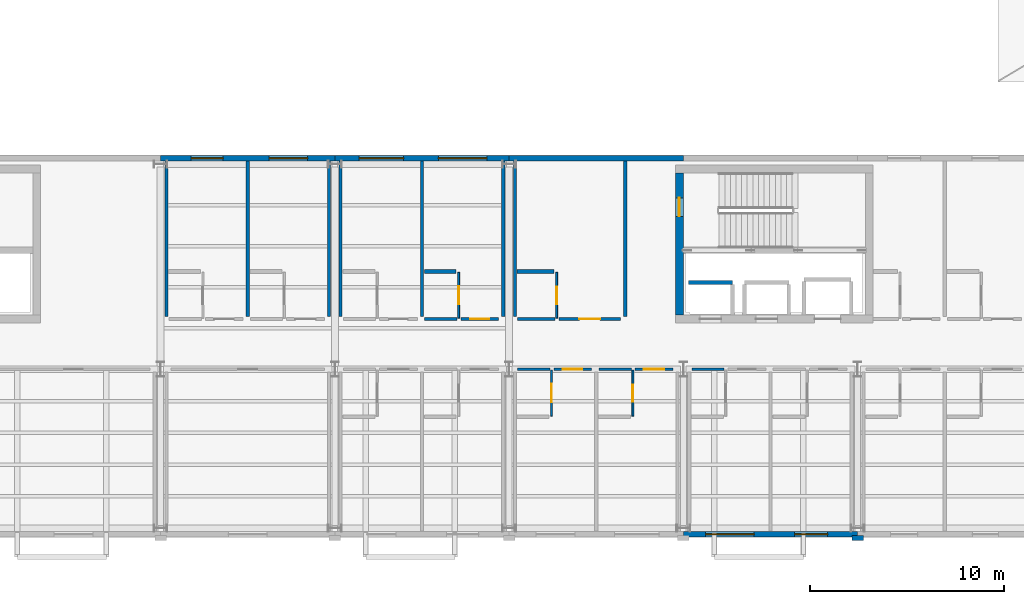
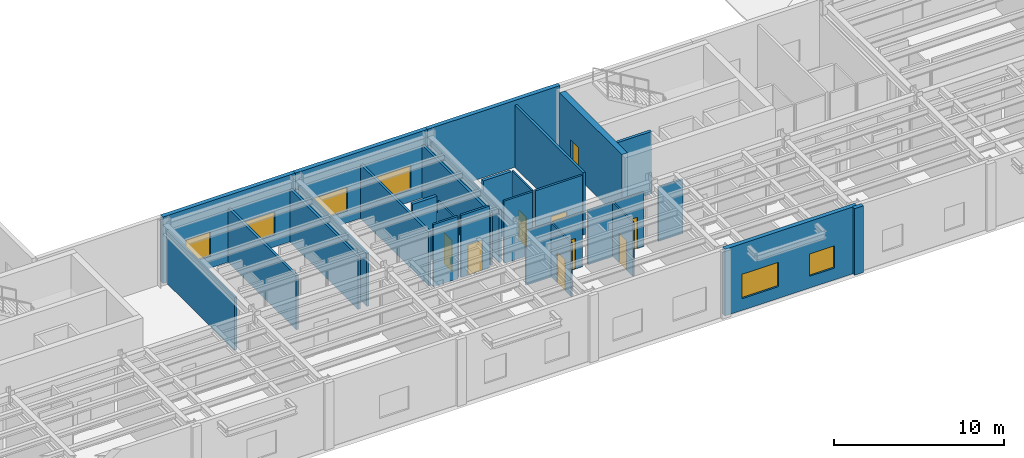
# One storey, part 70 of 91: 30 walls, 9 doors, 6 windows, 15 openings.
"""IFC4 building model written with IfcOpenShell, lengths in metres."""

import ifcopenshell
import ifcopenshell.guid

model = None  # the IFC model being written
_history = None  # IfcOwnerHistory: only IFC2X3 demands one
_inside = {}  # id of a spatial element -> (the spatial element, [elements in it])
_under = {}  # id of a project, library or spatial element -> (it, [spatial elements below it])
_declared = {}  # id of a project -> (the project, [libraries it declares])
_typed = {}  # id of a type object -> (the type object, [elements of that type])
_made_of = {}  # id of a material, layer set ... -> (it, [elements and type objects made of it])


def new_model(schema):
    """Start an empty IFC model of exactly this schema.

    Asked for "IFC4X3", IfcOpenShell would pick the latest addendum, in which some entities
    have other attributes; the version numbers below select the first issue.
    IFC2X3 requires an IfcOwnerHistory on every rooted entity: one is made here for all.
    """
    global model, _history
    if schema == "IFC4X3":
        model = ifcopenshell.file(schema_version=(4, 3, 0, 0))
    else:
        model = ifcopenshell.file(schema=schema)
    _inside.clear()
    _under.clear()
    _declared.clear()
    _typed.clear()
    _made_of.clear()
    _history = None
    if model.schema == "IFC2X3":
        org = make("IfcOrganization", Name="unknown")
        user = make(
            "IfcPersonAndOrganization",
            ThePerson=make("IfcPerson", FamilyName="unknown"),
            TheOrganization=org,
        )
        app = make(
            "IfcApplication",
            ApplicationDeveloper=org,
            Version="unknown",
            ApplicationFullName="unknown",
            ApplicationIdentifier="unknown",
        )
        _history = make(
            "IfcOwnerHistory",
            OwningUser=user,
            OwningApplication=app,
            ChangeAction="ADDED",
            CreationDate=0,
        )
    return model


def make(cls, **values):
    """One entity of the class cls with the attributes given. An attribute that is None is left unset."""
    return model.create_entity(
        cls, **{name: value for name, value in values.items() if value is not None}
    )


def rooted(cls, **values):
    """An entity with a GlobalId (a new one), such as an element, a storey or a relation."""
    return make(cls, GlobalId=ifcopenshell.guid.new(), OwnerHistory=_history, **values)


def si_unit(unit_type, name, prefix=None):
    """IfcSIUnit, for example si_unit("LENGTHUNIT", "METRE", prefix="MILLI")."""
    return make("IfcSIUnit", UnitType=unit_type, Prefix=prefix, Name=name)


def assignment(units):
    """IfcUnitAssignment: the units of a project."""
    return None if units is None else make("IfcUnitAssignment", Units=units)


def point(xyz):
    """IfcCartesianPoint."""
    return None if xyz is None else make("IfcCartesianPoint", Coordinates=xyz)


def direction(xyz):
    """IfcDirection."""
    return None if xyz is None else make("IfcDirection", DirectionRatios=xyz)


def frame(location, z_axis=None, x_axis=None):
    """IfcAxis2Placement3D, a coordinate frame: its origin and axes. An axis left out is left unset."""
    return make(
        "IfcAxis2Placement3D",
        Location=point(location),
        Axis=direction(z_axis),
        RefDirection=direction(x_axis),
    )


def frame_2d(location, x_axis=None):
    """IfcAxis2Placement2D, a coordinate frame in the plane: its origin and x axis."""
    return make(
        "IfcAxis2Placement2D", Location=point(location), RefDirection=direction(x_axis)
    )


def origin():
    """The frame at (0, 0, 0) with its axes left unset."""
    return frame((0.0, 0.0, 0.0))


def place(relative_to, where):
    """IfcLocalPlacement: puts the frame where relative to a parent placement (None: the world)."""
    return make(
        "IfcLocalPlacement", PlacementRelTo=relative_to, RelativePlacement=where
    )


def context(
    kind, dimensions, precision=None, world=None, true_north=None, identifier=None
):
    """IfcGeometricRepresentationContext, for example the 3D "Model" context."""
    return make(
        "IfcGeometricRepresentationContext",
        ContextIdentifier=identifier,
        ContextType=kind,
        CoordinateSpaceDimension=dimensions,
        Precision=precision,
        WorldCoordinateSystem=world,
        TrueNorth=true_north,
    )


def subcontext(parent, identifier, kind, view, scale=None):
    """IfcGeometricRepresentationSubContext, for example "Body" below "Model"."""
    return make(
        "IfcGeometricRepresentationSubContext",
        ContextIdentifier=identifier,
        ContextType=kind,
        ParentContext=parent,
        TargetScale=scale,
        TargetView=view,
    )


def project(units=None, contexts=None):
    """IfcProject with its units and contexts."""
    return rooted(
        "IfcProject",
        Name="project",
        RepresentationContexts=contexts,
        UnitsInContext=assignment(units),
    )


def spatial(cls, under=None, at=None, **own):
    """A site, building, storey or space (cls), placed at a placement, below another one or the project."""
    s = rooted(cls, ObjectPlacement=at, **own)
    if under is not None:
        _under.setdefault(under.id(), (under, []))[1].append(s)
    return s


def profile(cls, at=None, kind="AREA", **sizes):
    """A parametric profile (cls). Its sizes go by their IFC names, for example OverallWidth=200.0."""
    return make(cls, ProfileType=kind, Position=at, **sizes)


def rectangle(**sizes):
    """IfcRectangleProfileDef."""
    return profile("IfcRectangleProfileDef", **sizes)


def extrude(swept, where, along, depth):
    """IfcExtrudedAreaSolid: the profile swept, set in the frame where, extruded along a direction by depth."""
    return make(
        "IfcExtrudedAreaSolid",
        SweptArea=swept,
        Position=where,
        ExtrudedDirection=direction(along),
        Depth=depth,
    )


def shape(context_of_items, identifier, shape_type, items):
    """IfcShapeRepresentation: the items that make up one representation, for example the "Body"."""
    return make(
        "IfcShapeRepresentation",
        ContextOfItems=context_of_items,
        RepresentationIdentifier=identifier,
        RepresentationType=shape_type,
        Items=items,
    )


def material(Name=None, Category=None):
    """IfcMaterial."""
    return make("IfcMaterial", Name=Name, Category=Category)


def layer(
    of_material, thickness, ventilated=None, Name=None, Category=None, Priority=None
):
    """IfcMaterialLayer: one layer of a wall or slab, of a material (None: an air gap)."""
    return make(
        "IfcMaterialLayer",
        Material=of_material,
        LayerThickness=thickness,
        IsVentilated=ventilated,
        Name=Name,
        Category=Category,
        Priority=Priority,
    )


def layer_set(layers, Name=None):
    """IfcMaterialLayerSet."""
    return make("IfcMaterialLayerSet", MaterialLayers=layers, LayerSetName=Name)


def made_of(thing, what):
    """Note that an element or type object is made of a material, layer set ...; save() writes the relation."""
    if what is not None:
        _made_of.setdefault(what.id(), (what, []))[1].append(thing)
    return thing


def type_object(cls, material=None, **own):
    """A type object (cls), such as IfcWallType, which elements share."""
    return made_of(rooted(cls, **own), material)


def element(
    cls,
    number,
    at=None,
    inside=None,
    cuts=None,
    type_object=None,
    material=None,
    context=None,
    identifier="Body",
    shape_type=None,
    held_by="IfcProductDefinitionShape",
    body=None,
    shapes=None,
    **own,
):
    """One element of the class cls, such as IfcWall. Its Tag is "e" and its number.

    at: its placement. inside: the storey or other place that contains it. cuts: it is an
    opening in that element (IfcRelVoidsElement). A single representation is given by context,
    identifier, shape_type and body (its items); several are given by shapes. held_by: the class
    of the entity that holds the representations. save() writes the other relations.
    """
    e = rooted(cls, Tag="e%d" % number, ObjectPlacement=at, **own)
    if body is not None:
        shapes = [shape(context, identifier, shape_type, body)]
    if shapes is not None:
        e.Representation = make(held_by, Representations=shapes)
    if inside is not None:
        _inside.setdefault(inside.id(), (inside, []))[1].append(e)
    if cuts is not None:
        rooted(
            "IfcRelVoidsElement", RelatingBuildingElement=cuts, RelatedOpeningElement=e
        )
    if type_object is not None:
        _typed.setdefault(type_object.id(), (type_object, []))[1].append(e)
    return made_of(e, material)


def fill(opening, filler):
    """IfcRelFillsElement: the door or window that sits in an opening."""
    return rooted(
        "IfcRelFillsElement",
        RelatingOpeningElement=opening,
        RelatedBuildingElement=filler,
    )


def aggregate(whole, parts):
    """IfcRelAggregates: a whole, such as a stair, and the parts it consists of."""
    return rooted("IfcRelAggregates", RelatingObject=whole, RelatedObjects=parts)


def save(model, path):
    """Write the relations noted so far, then the file.

    IfcRelAggregates (storeys below a building ...), IfcRelContainedInSpatialStructure (elements
    in a storey), IfcRelDefinesByType, IfcRelAssociatesMaterial and IfcRelDeclares: one each for
    every whole, place, type object, material and project.
    """
    for whole, parts in _under.values():
        aggregate(whole, parts)
    for where, things in _inside.values():
        rooted(
            "IfcRelContainedInSpatialStructure",
            RelatedElements=things,
            RelatingStructure=where,
        )
    for kind, things in _typed.values():
        rooted("IfcRelDefinesByType", RelatedObjects=things, RelatingType=kind)
    for what, things in _made_of.values():
        rooted("IfcRelAssociatesMaterial", RelatedObjects=things, RelatingMaterial=what)
    for by, libraries in _declared.values():
        rooted("IfcRelDeclares", RelatingContext=by, RelatedDefinitions=libraries)
    model.write(path)


model = new_model("IFC4")

# Units and contexts
model_context = context("Model", 3, precision=1e-05, world=origin(), true_north=direction((0.0, 1.0)))
body_context = subcontext(model_context, "Body", "Model", "MODEL_VIEW")
ifc_project = project(units=[si_unit("LENGTHUNIT", "METRE"), si_unit("AREAUNIT", "SQUARE_METRE"), si_unit("VOLUMEUNIT", "CUBIC_METRE"), si_unit("PLANEANGLEUNIT", "RADIAN"), si_unit("MASSUNIT", "GRAM", prefix="KILO")], contexts=[model_context])

# Site, building, storey
site_placement = place(None, origin())
site = spatial("IfcSite", under=ifc_project, at=site_placement, CompositionType="ELEMENT")
building_placement = place(site_placement, origin())
building = spatial("IfcBuilding", under=site, at=building_placement, Name="Sollismere Congress Hotel", CompositionType="ELEMENT")
storey_placement = place(building_placement, frame((0.0, 0.0, 10.800048828125)))
storey = spatial("IfcBuildingStorey", under=building, at=storey_placement, Name="L02", CompositionType="ELEMENT", Elevation=10.800048828125)

# Wall, openings, windows
ifc_material_1 = material(Name="Colorado Buff Sandstone Rainscreen on Insulated Backup", Category="masonry")
ifc_layer_1 = layer(ifc_material_1, 0.284912109375, Name="Colorado Buff Sandstone Rainscreen on Insulated Backup")
ifc_layer_set_1 = layer_set([ifc_layer_1], Name="Colorado Buff Sandstone Rainscreen on Insulated Backup")
wall_type_1 = type_object("IfcWallType", Name="WL-EXT285", PredefinedType="STANDARD", material=ifc_layer_set_1)
wall_1_placement = place(storey_placement, frame((94.0, -0.31005859375, 0.0), z_axis=(0.0, 0.0, 1.0), x_axis=(1.0, 0.0, 0.0)))
wall_1 = element("IfcWall", 1, at=wall_1_placement, inside=storey, type_object=wall_type_1, Name="Exterior wall EW-L02-340", PredefinedType="STANDARD", context=body_context, shape_type="SweptSolid", body=[
    extrude(rectangle(XDim=9.0, YDim=0.284912109375, at=frame_2d((4.5, 0.0))), origin(), (0.0, 0.0, 1.0), 4.800048828125),
])
opening_1_placement = place(wall_1_placement, frame((1.14990234375, 0.0, 0.85009765625)))
opening_1 = element("IfcOpeningElement", 2, at=opening_1_placement, cuts=wall_1, Name="Opening W-L02-273", PredefinedType="OPENING", context=body_context, shape_type="SweptSolid", body=[
    extrude(rectangle(XDim=2.5, YDim=1.75, at=frame_2d((1.25, 0.875))), frame((0.0, 0.15234375, 0.0), z_axis=(0.0, -1.0, 0.0), x_axis=(1.0, 0.0, 0.0)), (0.0, 0.0, 1.0), 0.304931640625),
])
opening_2_placement = place(wall_1_placement, frame((5.75, 0.0, 0.85009765625)))
opening_2 = element("IfcOpeningElement", 3, at=opening_2_placement, cuts=wall_1, Name="Opening W-L02-274", PredefinedType="OPENING", context=body_context, shape_type="SweptSolid", body=[
    extrude(rectangle(XDim=1.699951171875, YDim=1.60009765625, at=frame_2d((0.85009765625, 0.800048828125))), frame((0.0, 0.15234375, 0.0), z_axis=(0.0, -1.0, 0.0), x_axis=(1.0, 0.0, 0.0)), (0.0, 0.0, 1.0), 0.304931640625),
])
ifc_material_2 = material(Name="Thermally Broken Bronze Aluminum & Low-E Glass", Category="aluminium")
window_type_1 = type_object("IfcWindowType", Name="WN-P170x160", PartitioningType="SINGLE_PANEL", PredefinedType="WINDOW", material=ifc_material_2)
window_1_placement = place(opening_2_placement, origin())
window_1 = element("IfcWindow", 4, at=window_1_placement, inside=storey, type_object=window_type_1, Name="WIN-W-L02-274", OverallHeight=1.60009765625, OverallWidth=1.699951171875, PartitioningType="SINGLE_PANEL", PredefinedType="WINDOW", context=body_context, shape_type="SweptSolid", body=[
    extrude(rectangle(XDim=1.699951171875, YDim=1.60009765625, at=frame_2d((0.85009765625, 0.800048828125))), frame((0.0, 0.030029296875, 0.0), z_axis=(0.0, -1.0, 0.0), x_axis=(1.0, 0.0, 0.0)), (0.0, 0.0, 1.0), 0.06005859375),
])
fill(opening_2, window_1)
window_type_2 = type_object("IfcWindowType", Name="WN-P250x175", PartitioningType="SINGLE_PANEL", PredefinedType="WINDOW", material=ifc_material_2)
window_2_placement = place(opening_1_placement, origin())
window_2 = element("IfcWindow", 5, at=window_2_placement, inside=storey, type_object=window_type_2, Name="WIN-W-L02-273", OverallHeight=1.75, OverallWidth=2.5, PartitioningType="SINGLE_PANEL", PredefinedType="WINDOW", context=body_context, shape_type="SweptSolid", body=[
    extrude(rectangle(XDim=2.5, YDim=1.75, at=frame_2d((1.25, 0.875))), frame((0.0, 0.030029296875, 0.0), z_axis=(0.0, -1.0, 0.0), x_axis=(1.0, 0.0, 0.0)), (0.0, 0.0, 1.0), 0.06005859375),
])
fill(opening_1, window_2)

wall_2_placement = place(storey_placement, frame((76.0, 19.110107421875, 0.0), z_axis=(0.0, 0.0, 1.0), x_axis=(-1.0, 0.0, 0.0)))
wall_2 = element("IfcWall", 6, at=wall_2_placement, inside=storey, type_object=wall_type_1, Name="Exterior wall EW-L02-371", PredefinedType="STANDARD", context=body_context, shape_type="SweptSolid", body=[
    extrude(rectangle(XDim=9.0, YDim=0.284912109375, at=frame_2d((4.5, 0.0))), origin(), (0.0, 0.0, 1.0), 4.800048828125),
])
opening_3_placement = place(wall_2_placement, frame((5.77490234375, 0.0, 0.85009765625)))
opening_3 = element("IfcOpeningElement", 7, at=opening_3_placement, cuts=wall_2, Name="Opening W-L02-291", PredefinedType="OPENING", context=body_context, shape_type="SweptSolid", body=[
    extrude(rectangle(XDim=1.64990234375, YDim=1.75, at=frame_2d((0.824951171875, 0.875))), frame((0.0, 0.15234375, 0.0), z_axis=(0.0, -1.0, 0.0), x_axis=(1.0, 0.0, 0.0)), (0.0, 0.0, 1.0), 0.304931640625),
])
opening_4_placement = place(wall_2_placement, frame((1.39990234375, 0.0, 0.85009765625)))
opening_4 = element("IfcOpeningElement", 8, at=opening_4_placement, cuts=wall_2, Name="Opening W-L02-292", PredefinedType="OPENING", context=body_context, shape_type="SweptSolid", body=[
    extrude(rectangle(XDim=2.0, YDim=1.64990234375, at=frame_2d((1.0, 0.824951171875))), frame((0.0, 0.15234375, 0.0), z_axis=(0.0, -1.0, 0.0), x_axis=(1.0, 0.0, 0.0)), (0.0, 0.0, 1.0), 0.304931640625),
])
window_type_3 = type_object("IfcWindowType", Name="WN-P165x175", PartitioningType="SINGLE_PANEL", PredefinedType="WINDOW", material=ifc_material_2)
window_3_placement = place(opening_3_placement, origin())
window_3 = element("IfcWindow", 9, at=window_3_placement, inside=storey, type_object=window_type_3, Name="WIN-W-L02-291", OverallHeight=1.75, OverallWidth=1.64990234375, PartitioningType="SINGLE_PANEL", PredefinedType="WINDOW", context=body_context, shape_type="SweptSolid", body=[
    extrude(rectangle(XDim=1.64990234375, YDim=1.75, at=frame_2d((0.824951171875, 0.875))), frame((0.0, 0.030029296875, 0.0), z_axis=(0.0, -1.0, 0.0), x_axis=(1.0, 0.0, 0.0)), (0.0, 0.0, 1.0), 0.06005859375),
])
fill(opening_3, window_3)
window_type_4 = type_object("IfcWindowType", Name="WN-P200x165", PartitioningType="SINGLE_PANEL", PredefinedType="WINDOW", material=ifc_material_2)
window_4_placement = place(opening_4_placement, origin())
window_4 = element("IfcWindow", 10, at=window_4_placement, inside=storey, type_object=window_type_4, Name="WIN-W-L02-292", OverallHeight=1.64990234375, OverallWidth=2.0, PartitioningType="SINGLE_PANEL", PredefinedType="WINDOW", context=body_context, shape_type="SweptSolid", body=[
    extrude(rectangle(XDim=2.0, YDim=1.64990234375, at=frame_2d((1.0, 0.824951171875))), frame((0.0, 0.030029296875, 0.0), z_axis=(0.0, -1.0, 0.0), x_axis=(1.0, 0.0, 0.0)), (0.0, 0.0, 1.0), 0.06005859375),
])
fill(opening_4, window_4)

wall_3_placement = place(storey_placement, frame((85.0, 19.110107421875, 0.0), z_axis=(0.0, 0.0, 1.0), x_axis=(-1.0, 0.0, 0.0)))
wall_3 = element("IfcWall", 11, at=wall_3_placement, inside=storey, type_object=wall_type_1, Name="Exterior wall EW-L02-372", PredefinedType="STANDARD", context=body_context, shape_type="SweptSolid", body=[
    extrude(rectangle(XDim=9.0, YDim=0.284912109375, at=frame_2d((4.5, 0.0))), origin(), (0.0, 0.0, 1.0), 4.800048828125),
])
opening_5_placement = place(wall_3_placement, frame((5.449951171875, 0.0, 0.85009765625)))
opening_5 = element("IfcOpeningElement", 12, at=opening_5_placement, cuts=wall_3, Name="Opening W-L02-293", PredefinedType="OPENING", context=body_context, shape_type="SweptSolid", body=[
    extrude(rectangle(XDim=2.300048828125, YDim=1.699951171875, at=frame_2d((1.14990234375, 0.85009765625))), frame((0.0, 0.15234375, 0.0), z_axis=(0.0, -1.0, 0.0), x_axis=(1.0, 0.0, 0.0)), (0.0, 0.0, 1.0), 0.304931640625),
])
opening_6_placement = place(wall_3_placement, frame((1.14990234375, 0.0, 0.85009765625)))
opening_6 = element("IfcOpeningElement", 13, at=opening_6_placement, cuts=wall_3, Name="Opening W-L02-294", PredefinedType="OPENING", context=body_context, shape_type="SweptSolid", body=[
    extrude(rectangle(XDim=2.5, YDim=1.75, at=frame_2d((1.25, 0.875))), frame((0.0, 0.15234375, 0.0), z_axis=(0.0, -1.0, 0.0), x_axis=(1.0, 0.0, 0.0)), (0.0, 0.0, 1.0), 0.304931640625),
])
window_type_5 = type_object("IfcWindowType", Name="WN-P230x170", PartitioningType="SINGLE_PANEL", PredefinedType="WINDOW", material=ifc_material_2)
window_5_placement = place(opening_5_placement, origin())
window_5 = element("IfcWindow", 14, at=window_5_placement, inside=storey, type_object=window_type_5, Name="WIN-W-L02-293", OverallHeight=1.699951171875, OverallWidth=2.300048828125, PartitioningType="SINGLE_PANEL", PredefinedType="WINDOW", context=body_context, shape_type="SweptSolid", body=[
    extrude(rectangle(XDim=2.300048828125, YDim=1.699951171875, at=frame_2d((1.14990234375, 0.85009765625))), frame((0.0, 0.030029296875, 0.0), z_axis=(0.0, -1.0, 0.0), x_axis=(1.0, 0.0, 0.0)), (0.0, 0.0, 1.0), 0.06005859375),
])
fill(opening_5, window_5)
window_6_placement = place(opening_6_placement, origin())
window_6 = element("IfcWindow", 15, at=window_6_placement, inside=storey, type_object=window_type_2, Name="WIN-W-L02-294", OverallHeight=1.75, OverallWidth=2.5, PartitioningType="SINGLE_PANEL", PredefinedType="WINDOW", context=body_context, shape_type="SweptSolid", body=[
    extrude(rectangle(XDim=2.5, YDim=1.75, at=frame_2d((1.25, 0.875))), frame((0.0, 0.030029296875, 0.0), z_axis=(0.0, -1.0, 0.0), x_axis=(1.0, 0.0, 0.0)), (0.0, 0.0, 1.0), 0.06005859375),
])
fill(opening_6, window_6)

# Walls
wall_4_placement = place(storey_placement, frame((94.0, 19.110107421875, 0.0), z_axis=(0.0, 0.0, 1.0), x_axis=(-1.0, 0.0, 0.0)))
element("IfcWall", 16, at=wall_4_placement, inside=storey, type_object=wall_type_1, Name="Exterior wall EW-L02-373", PredefinedType="STANDARD", context=body_context, shape_type="SweptSolid", body=[
    extrude(rectangle(XDim=9.0, YDim=0.284912109375, at=frame_2d((4.5, 0.0))), origin(), (0.0, 0.0, 1.0), 4.800048828125),
])
ifc_material_3 = material(Name="Carved Travertine Pilaster & Frieze Assembly", Category="masonry")
ifc_layer_2 = layer(ifc_material_3, 0.260009765625, Name="Carved Travertine Pilaster & Frieze Assembly")
ifc_layer_set_2 = layer_set([ifc_layer_2], Name="Carved Travertine Pilaster & Frieze Assembly")
wall_type_2 = type_object("IfcWallType", Name="WL-PIL280", PredefinedType="ELEMENTEDWALL", material=ifc_layer_set_2)
wall_5_placement = place(storey_placement, frame((102.699951171875, -0.52001953125, 0.0), z_axis=(0.0, 0.0, 1.0), x_axis=(1.0, 0.0, 0.0)))
element("IfcWall", 17, at=wall_5_placement, inside=storey, type_object=wall_type_2, Name="Exterior wall EW-L02-343", PredefinedType="ELEMENTEDWALL", context=body_context, shape_type="SweptSolid", body=[
    extrude(rectangle(XDim=0.60009765625, YDim=0.260009765625, at=frame_2d((0.300048828125, 0.0))), origin(), (0.0, 0.0, 1.0), 4.800048828125),
])
ifc_material_4 = material(Name="Moisture-Resistant Shaft Gypsum Assembly")
ifc_layer_3 = layer(ifc_material_4, 0.199951171875, Name="Moisture-Resistant Shaft Gypsum Assembly")
ifc_layer_set_3 = layer_set([ifc_layer_3], Name="Moisture-Resistant Shaft Gypsum Assembly")
wall_type_3 = type_object("IfcWallType", Name="WL-PLM200", PredefinedType="PLUMBINGWALL", material=ifc_layer_set_3)
wall_6_placement = place(storey_placement, frame((94.2548828125, 12.68994140625, 0.0), z_axis=(0.0, 0.0, 1.0), x_axis=(1.0, 0.0, 0.0)))
element("IfcWall", 18, at=wall_6_placement, inside=storey, type_object=wall_type_3, Name="Interior wall IW-L02-0253", PredefinedType="PLUMBINGWALL", context=body_context, shape_type="SweptSolid", body=[
    extrude(rectangle(XDim=2.2900390625, YDim=0.199951171875, at=frame_2d((1.14501953125, 0.0))), origin(), (0.0, 0.0, 1.0), 4.474853515625),
])
wall_7_placement = place(storey_placement, frame((80.6201171875, 13.25, 0.0), z_axis=(0.0, 0.0, 1.0), x_axis=(1.0, 0.0, 0.0)))
element("IfcWall", 19, at=wall_7_placement, inside=storey, type_object=wall_type_3, Name="Interior wall IW-L02-1042", PredefinedType="PLUMBINGWALL", context=body_context, shape_type="SweptSolid", body=[
    extrude(rectangle(XDim=1.64990234375, YDim=0.199951171875, at=frame_2d((0.824951171875, 0.0))), origin(), (0.0, 0.0, 1.0), 4.474853515625),
])
wall_8_placement = place(storey_placement, frame((85.419921875, 13.25, 0.0), z_axis=(0.0, 0.0, 1.0), x_axis=(1.0, 0.0, 0.0)))
element("IfcWall", 20, at=wall_8_placement, inside=storey, type_object=wall_type_3, Name="Interior wall IW-L02-1059", PredefinedType="PLUMBINGWALL", context=body_context, shape_type="SweptSolid", body=[
    extrude(rectangle(XDim=1.91015625, YDim=0.199951171875, at=frame_2d((0.955078125, 0.0))), origin(), (0.0, 0.0, 1.0), 4.474853515625),
])

# Wall, opening, door
ifc_material_5 = material(Name="Moisture-Resistant Gypsum Partition")
ifc_layer_4 = layer(ifc_material_5, 0.10009765625, Name="Moisture-Resistant Gypsum Partition")
ifc_layer_set_4 = layer_set([ifc_layer_4], Name="Moisture-Resistant Gypsum Partition")
wall_type_4 = type_object("IfcWallType", Name="WL-PRT100", PredefinedType="PARTITIONING", material=ifc_layer_set_4)
wall_9_placement = place(storey_placement, frame((82.389892578125, 10.840087890625, 0.0), z_axis=(0.0, 0.0, 1.0), x_axis=(0.0, 1.0, 0.0)))
wall_9 = element("IfcWall", 21, at=wall_9_placement, inside=storey, type_object=wall_type_4, Name="Interior wall IW-L02-1041", PredefinedType="PARTITIONING", context=body_context, shape_type="SweptSolid", body=[
    extrude(rectangle(XDim=2.369873046875, YDim=0.10009765625, at=frame_2d((1.18505859375, 0.0))), origin(), (0.0, 0.0, 1.0), 4.0830078125),
])
opening_7_placement = place(wall_9_placement, frame((0.719970703125, 0.0, 0.0)))
opening_7 = element("IfcOpeningElement", 22, at=opening_7_placement, cuts=wall_9, Name="Opening D-L02-0368", PredefinedType="OPENING", context=body_context, shape_type="SweptSolid", body=[
    extrude(rectangle(XDim=0.929931640625, YDim=2.219970703125, at=frame_2d((0.46484375, 1.10986328125))), frame((0.0, 0.06005859375, 0.0), z_axis=(0.0, -1.0, 0.0), x_axis=(1.0, 0.0, 0.0)), (0.0, 0.0, 1.0), 0.1201171875),
])
ifc_material_6 = material(Name="Moisture-Sealed Timber Bathroom Door", Category="wood")
door_type_1 = type_object("IfcDoorType", Name="DR-BT07", OperationType="NOTDEFINED", PredefinedType="DOOR", material=ifc_material_6)
door_1_placement = place(opening_7_placement, origin())
door_1 = element("IfcDoor", 23, at=door_1_placement, inside=storey, type_object=door_type_1, Name="En-suite bathroom door D-L02-0368", OperationType="SINGLE_SWING_LEFT", OverallHeight=2.219970703125, OverallWidth=0.929931640625, PredefinedType="DOOR", context=body_context, shape_type="SweptSolid", body=[
    extrude(rectangle(XDim=0.929931640625, YDim=2.219970703125, at=frame_2d((0.46484375, 1.10986328125))), frame((0.0, 0.02490234375, 0.0), z_axis=(0.0, -1.0, 0.0), x_axis=(1.0, 0.0, 0.0)), (0.0, 0.0, 1.0), 0.050048828125),
])
fill(opening_7, door_1)

wall_10_placement = place(storey_placement, frame((87.18994140625, 5.7900390625, 0.0), z_axis=(0.0, 0.0, 1.0), x_axis=(0.0, 1.0, 0.0)))
wall_10 = element("IfcWall", 24, at=wall_10_placement, inside=storey, type_object=wall_type_4, Name="Interior wall IW-L02-1047", PredefinedType="PARTITIONING", context=body_context, shape_type="SweptSolid", body=[
    extrude(rectangle(XDim=2.369873046875, YDim=0.10009765625, at=frame_2d((1.18505859375, 0.0))), origin(), (0.0, 0.0, 1.0), 3.887939453125),
])
opening_8_placement = place(wall_10_placement, frame((0.7080078125, 0.0, 0.0)))
opening_8 = element("IfcOpeningElement", 25, at=opening_8_placement, cuts=wall_10, Name="Opening D-L02-0370", PredefinedType="OPENING", context=body_context, shape_type="SweptSolid", body=[
    extrude(rectangle(XDim=0.955078125, YDim=2.219970703125, at=frame_2d((0.4775390625, 1.10986328125))), frame((0.0, 0.06005859375, 0.0), z_axis=(0.0, -1.0, 0.0), x_axis=(1.0, 0.0, 0.0)), (0.0, 0.0, 1.0), 0.1201171875),
])
door_type_2 = type_object("IfcDoorType", Name="DR-BT08", OperationType="NOTDEFINED", PredefinedType="DOOR", material=ifc_material_6)
door_2_placement = place(opening_8_placement, origin())
door_2 = element("IfcDoor", 26, at=door_2_placement, inside=storey, type_object=door_type_2, Name="En-suite bathroom door D-L02-0370", OperationType="SINGLE_SWING_LEFT", OverallHeight=2.219970703125, OverallWidth=0.955078125, PredefinedType="DOOR", context=body_context, shape_type="SweptSolid", body=[
    extrude(rectangle(XDim=0.955078125, YDim=2.219970703125, at=frame_2d((0.4775390625, 1.10986328125))), frame((0.0, 0.02490234375, 0.0), z_axis=(0.0, -1.0, 0.0), x_axis=(1.0, 0.0, 0.0)), (0.0, 0.0, 1.0), 0.050048828125),
])
fill(opening_8, door_2)

wall_11_placement = place(storey_placement, frame((91.389892578125, 5.7900390625, 0.0), z_axis=(0.0, 0.0, 1.0), x_axis=(0.0, 1.0, 0.0)))
wall_11 = element("IfcWall", 27, at=wall_11_placement, inside=storey, type_object=wall_type_4, Name="Interior wall IW-L02-1052", PredefinedType="PARTITIONING", context=body_context, shape_type="SweptSolid", body=[
    extrude(rectangle(XDim=2.369873046875, YDim=0.10009765625, at=frame_2d((1.18505859375, 0.0))), origin(), (0.0, 0.0, 1.0), 3.887939453125),
])
opening_9_placement = place(wall_11_placement, frame((0.7451171875, 0.0, 0.0)))
opening_9 = element("IfcOpeningElement", 28, at=opening_9_placement, cuts=wall_11, Name="Opening D-L02-0372", PredefinedType="OPENING", context=body_context, shape_type="SweptSolid", body=[
    extrude(rectangle(XDim=0.8798828125, YDim=2.10009765625, at=frame_2d((0.43994140625, 1.050048828125))), frame((0.0, 0.06005859375, 0.0), z_axis=(0.0, -1.0, 0.0), x_axis=(1.0, 0.0, 0.0)), (0.0, 0.0, 1.0), 0.1201171875),
])
door_type_3 = type_object("IfcDoorType", Name="DR-BT01", OperationType="NOTDEFINED", PredefinedType="DOOR", material=ifc_material_6)
door_3_placement = place(opening_9_placement, origin())
door_3 = element("IfcDoor", 29, at=door_3_placement, inside=storey, type_object=door_type_3, Name="En-suite bathroom door D-L02-0372", OperationType="SINGLE_SWING_LEFT", OverallHeight=2.10009765625, OverallWidth=0.8798828125, PredefinedType="DOOR", context=body_context, shape_type="SweptSolid", body=[
    extrude(rectangle(XDim=0.8798828125, YDim=2.10009765625, at=frame_2d((0.43994140625, 1.050048828125))), frame((0.0, 0.02490234375, 0.0), z_axis=(0.0, -1.0, 0.0), x_axis=(1.0, 0.0, 0.0)), (0.0, 0.0, 1.0), 0.050048828125),
])
fill(opening_9, door_3)

wall_12_placement = place(storey_placement, frame((87.449951171875, 10.840087890625, 0.0), z_axis=(0.0, 0.0, 1.0), x_axis=(0.0, 1.0, 0.0)))
wall_12 = element("IfcWall", 30, at=wall_12_placement, inside=storey, type_object=wall_type_4, Name="Interior wall IW-L02-1058", PredefinedType="PARTITIONING", context=body_context, shape_type="SweptSolid", body=[
    extrude(rectangle(XDim=2.369873046875, YDim=0.10009765625, at=frame_2d((1.18505859375, 0.0))), origin(), (0.0, 0.0, 1.0), 4.474853515625),
])
opening_10_placement = place(wall_12_placement, frame((0.73291015625, 0.0, 0.0)))
opening_10 = element("IfcOpeningElement", 31, at=opening_10_placement, cuts=wall_12, Name="Opening D-L02-0374", PredefinedType="OPENING", context=body_context, shape_type="SweptSolid", body=[
    extrude(rectangle(XDim=0.905029296875, YDim=2.10009765625, at=frame_2d((0.45263671875, 1.050048828125))), frame((0.0, 0.06005859375, 0.0), z_axis=(0.0, -1.0, 0.0), x_axis=(1.0, 0.0, 0.0)), (0.0, 0.0, 1.0), 0.1201171875),
])
door_type_4 = type_object("IfcDoorType", Name="DR-BT02", OperationType="NOTDEFINED", PredefinedType="DOOR", material=ifc_material_6)
door_4_placement = place(opening_10_placement, origin())
door_4 = element("IfcDoor", 32, at=door_4_placement, inside=storey, type_object=door_type_4, Name="En-suite bathroom door D-L02-0374", OperationType="SINGLE_SWING_LEFT", OverallHeight=2.10009765625, OverallWidth=0.905029296875, PredefinedType="DOOR", context=body_context, shape_type="SweptSolid", body=[
    extrude(rectangle(XDim=0.905029296875, YDim=2.10009765625, at=frame_2d((0.45263671875, 1.050048828125))), frame((0.0, 0.02490234375, 0.0), z_axis=(0.0, -1.0, 0.0), x_axis=(1.0, 0.0, 0.0)), (0.0, 0.0, 1.0), 0.050048828125),
])
fill(opening_10, door_4)

# Wall
ifc_material_7 = material(Name="Fire-Rated Gypsum Partition")
ifc_layer_5 = layer(ifc_material_7, 0.139892578125, Name="Fire-Rated Gypsum Partition")
ifc_layer_set_5 = layer_set([ifc_layer_5], Name="Fire-Rated Gypsum Partition")
wall_type_5 = type_object("IfcWallType", Name="WL-PRT140R", PredefinedType="PARTITIONING", material=ifc_layer_set_5)
wall_13_placement = place(storey_placement, frame((80.639892578125, 10.800048828125, 0.0), z_axis=(0.0, 0.0, 1.0), x_axis=(1.0, 0.0, 0.0)))
element("IfcWall", 33, at=wall_13_placement, inside=storey, type_object=wall_type_5, Name="Interior wall IW-L02-1038", PredefinedType="PARTITIONING", context=body_context, shape_type="SweptSolid", body=[
    extrude(rectangle(XDim=1.670166015625, YDim=0.139892578125, at=frame_2d((0.8349609375, 0.0))), origin(), (0.0, 0.0, 1.0), 4.474853515625),
])

# Wall, opening, door
wall_14_placement = place(storey_placement, frame((82.510009765625, 10.800048828125, 0.0), z_axis=(0.0, 0.0, 1.0), x_axis=(1.0, 0.0, 0.0)))
wall_14 = element("IfcWall", 34, at=wall_14_placement, inside=storey, type_object=wall_type_5, Name="Interior wall IW-L02-1039", PredefinedType="PARTITIONING", context=body_context, shape_type="SweptSolid", body=[
    extrude(rectangle(XDim=1.949951171875, YDim=0.139892578125, at=frame_2d((0.97509765625, 0.0))), origin(), (0.0, 0.0, 1.0), 4.474853515625),
])
opening_11_placement = place(wall_14_placement, frame((0.485107421875, 0.0, 0.0)))
opening_11 = element("IfcOpeningElement", 35, at=opening_11_placement, cuts=wall_14, Name="Opening D-L02-0367", PredefinedType="OPENING", context=body_context, shape_type="SweptSolid", body=[
    extrude(rectangle(XDim=0.97998046875, YDim=2.199951171875, at=frame_2d((0.489990234375, 1.10009765625))), frame((0.0, 0.079833984375, 0.0), z_axis=(0.0, -1.0, 0.0), x_axis=(1.0, 0.0, 0.0)), (0.0, 0.0, 1.0), 0.159912109375),
])
ifc_material_8 = material(Name="Solid-Core Acoustic Walnut Guestroom Entry Door")
door_type_5 = type_object("IfcDoorType", Name="DR-KY03", OperationType="NOTDEFINED", PredefinedType="DOOR", material=ifc_material_8)
door_5_placement = place(opening_11_placement, origin())
door_5 = element("IfcDoor", 36, at=door_5_placement, inside=storey, type_object=door_type_5, Name="Hotel room entry door D-L02-0367", OperationType="SINGLE_SWING_RIGHT", OverallHeight=2.199951171875, OverallWidth=0.97998046875, PredefinedType="DOOR", context=body_context, shape_type="SweptSolid", body=[
    extrude(rectangle(XDim=0.97998046875, YDim=2.199951171875, at=frame_2d((0.489990234375, 1.10009765625))), frame((0.0, 0.02490234375, 0.0), z_axis=(0.0, -1.0, 0.0), x_axis=(1.0, 0.0, 0.0)), (0.0, 0.0, 1.0), 0.050048828125),
])
fill(opening_11, door_5)

# Wall
wall_15_placement = place(storey_placement, frame((85.43994140625, 8.199951171875, 0.0), z_axis=(0.0, 0.0, 1.0), x_axis=(1.0, 0.0, 0.0)))
element("IfcWall", 37, at=wall_15_placement, inside=storey, type_object=wall_type_5, Name="Interior wall IW-L02-1043", PredefinedType="PARTITIONING", context=body_context, shape_type="SweptSolid", body=[
    extrude(rectangle(XDim=1.670166015625, YDim=0.139892578125, at=frame_2d((0.8349609375, 0.0))), origin(), (0.0, 0.0, 1.0), 3.887939453125),
])

# Wall, opening, door
wall_16_placement = place(storey_placement, frame((87.31005859375, 8.199951171875, 0.0), z_axis=(0.0, 0.0, 1.0), x_axis=(1.0, 0.0, 0.0)))
wall_16 = element("IfcWall", 38, at=wall_16_placement, inside=storey, type_object=wall_type_5, Name="Interior wall IW-L02-1044", PredefinedType="PARTITIONING", context=body_context, shape_type="SweptSolid", body=[
    extrude(rectangle(XDim=1.949951171875, YDim=0.139892578125, at=frame_2d((0.97509765625, 0.0))), origin(), (0.0, 0.0, 1.0), 3.887939453125),
])
opening_12_placement = place(wall_16_placement, frame((0.469970703125, 0.0, 0.0)))
opening_12 = element("IfcOpeningElement", 39, at=opening_12_placement, cuts=wall_16, Name="Opening D-L02-0369", PredefinedType="OPENING", context=body_context, shape_type="SweptSolid", body=[
    extrude(rectangle(XDim=1.010009765625, YDim=2.199951171875, at=frame_2d((0.5048828125, 1.10009765625))), frame((0.0, 0.079833984375, 0.0), z_axis=(0.0, -1.0, 0.0), x_axis=(1.0, 0.0, 0.0)), (0.0, 0.0, 1.0), 0.159912109375),
])
door_type_6 = type_object("IfcDoorType", Name="DR-KY04", OperationType="NOTDEFINED", PredefinedType="DOOR", material=ifc_material_8)
door_6_placement = place(opening_12_placement, origin())
door_6 = element("IfcDoor", 40, at=door_6_placement, inside=storey, type_object=door_type_6, Name="Hotel room entry door D-L02-0369", OperationType="SINGLE_SWING_RIGHT", OverallHeight=2.199951171875, OverallWidth=1.010009765625, PredefinedType="DOOR", context=body_context, shape_type="SweptSolid", body=[
    extrude(rectangle(XDim=1.010009765625, YDim=2.199951171875, at=frame_2d((0.5048828125, 1.10009765625))), frame((0.0, 0.02490234375, 0.0), z_axis=(0.0, -1.0, 0.0), x_axis=(1.0, 0.0, 0.0)), (0.0, 0.0, 1.0), 0.050048828125),
])
fill(opening_12, door_6)

# Wall
wall_17_placement = place(storey_placement, frame((89.639892578125, 8.199951171875, 0.0), z_axis=(0.0, 0.0, 1.0), x_axis=(1.0, 0.0, 0.0)))
element("IfcWall", 41, at=wall_17_placement, inside=storey, type_object=wall_type_5, Name="Interior wall IW-L02-1049", PredefinedType="PARTITIONING", context=body_context, shape_type="SweptSolid", body=[
    extrude(rectangle(XDim=1.670166015625, YDim=0.139892578125, at=frame_2d((0.8349609375, 0.0))), origin(), (0.0, 0.0, 1.0), 3.887939453125),
])

# Wall, opening, door
wall_18_placement = place(storey_placement, frame((91.510009765625, 8.199951171875, 0.0), z_axis=(0.0, 0.0, 1.0), x_axis=(1.0, 0.0, 0.0)))
wall_18 = element("IfcWall", 42, at=wall_18_placement, inside=storey, type_object=wall_type_5, Name="Interior wall IW-L02-1050", PredefinedType="PARTITIONING", context=body_context, shape_type="SweptSolid", body=[
    extrude(rectangle(XDim=1.949951171875, YDim=0.139892578125, at=frame_2d((0.97509765625, 0.0))), origin(), (0.0, 0.0, 1.0), 3.887939453125),
])
opening_13_placement = place(wall_18_placement, frame((0.455078125, 0.0, 0.0)))
opening_13 = element("IfcOpeningElement", 43, at=opening_13_placement, cuts=wall_18, Name="Opening D-L02-0371", PredefinedType="OPENING", context=body_context, shape_type="SweptSolid", body=[
    extrude(rectangle(XDim=1.0400390625, YDim=2.25, at=frame_2d((0.52001953125, 1.125))), frame((0.0, 0.079833984375, 0.0), z_axis=(0.0, -1.0, 0.0), x_axis=(1.0, 0.0, 0.0)), (0.0, 0.0, 1.0), 0.159912109375),
])
door_type_7 = type_object("IfcDoorType", Name="DR-KY05", OperationType="NOTDEFINED", PredefinedType="DOOR", material=ifc_material_8)
door_7_placement = place(opening_13_placement, origin())
door_7 = element("IfcDoor", 44, at=door_7_placement, inside=storey, type_object=door_type_7, Name="Hotel room entry door D-L02-0371", OperationType="SINGLE_SWING_RIGHT", OverallHeight=2.25, OverallWidth=1.0400390625, PredefinedType="DOOR", context=body_context, shape_type="SweptSolid", body=[
    extrude(rectangle(XDim=1.0400390625, YDim=2.25, at=frame_2d((0.52001953125, 1.125))), frame((0.0, 0.02490234375, 0.0), z_axis=(0.0, -1.0, 0.0), x_axis=(1.0, 0.0, 0.0)), (0.0, 0.0, 1.0), 0.050048828125),
])
fill(opening_13, door_7)

# Wall
wall_19_placement = place(storey_placement, frame((85.43994140625, 10.800048828125, 0.0), z_axis=(0.0, 0.0, 1.0), x_axis=(1.0, 0.0, 0.0)))
element("IfcWall", 45, at=wall_19_placement, inside=storey, type_object=wall_type_5, Name="Interior wall IW-L02-1054", PredefinedType="PARTITIONING", context=body_context, shape_type="SweptSolid", body=[
    extrude(rectangle(XDim=1.93017578125, YDim=0.139892578125, at=frame_2d((0.965087890625, 0.0))), origin(), (0.0, 0.0, 1.0), 4.474853515625),
])

# Wall, opening, door
wall_20_placement = place(storey_placement, frame((87.570068359375, 10.800048828125, 0.0), z_axis=(0.0, 0.0, 1.0), x_axis=(1.0, 0.0, 0.0)))
wall_20 = element("IfcWall", 46, at=wall_20_placement, inside=storey, type_object=wall_type_5, Name="Interior wall IW-L02-1055", PredefinedType="PARTITIONING", context=body_context, shape_type="SweptSolid", body=[
    extrude(rectangle(XDim=3.18994140625, YDim=0.139892578125, at=frame_2d((1.594970703125, 0.0))), origin(), (0.0, 0.0, 1.0), 4.474853515625),
])
opening_14_placement = place(wall_20_placement, frame((1.06005859375, 0.0, 0.0)))
opening_14 = element("IfcOpeningElement", 47, at=opening_14_placement, cuts=wall_20, Name="Opening D-L02-0373", PredefinedType="OPENING", context=body_context, shape_type="SweptSolid", body=[
    extrude(rectangle(XDim=1.070068359375, YDim=2.25, at=frame_2d((0.53515625, 1.125))), frame((0.0, 0.079833984375, 0.0), z_axis=(0.0, -1.0, 0.0), x_axis=(1.0, 0.0, 0.0)), (0.0, 0.0, 1.0), 0.159912109375),
])
door_type_8 = type_object("IfcDoorType", Name="DR-KY06", OperationType="NOTDEFINED", PredefinedType="DOOR", material=ifc_material_8)
door_8_placement = place(opening_14_placement, origin())
door_8 = element("IfcDoor", 48, at=door_8_placement, inside=storey, type_object=door_type_8, Name="Hotel room entry door D-L02-0373", OperationType="SINGLE_SWING_RIGHT", OverallHeight=2.25, OverallWidth=1.070068359375, PredefinedType="DOOR", context=body_context, shape_type="SweptSolid", body=[
    extrude(rectangle(XDim=1.070068359375, YDim=2.25, at=frame_2d((0.53515625, 1.125))), frame((0.0, 0.02490234375, 0.0), z_axis=(0.0, -1.0, 0.0), x_axis=(1.0, 0.0, 0.0)), (0.0, 0.0, 1.0), 0.050048828125),
])
fill(opening_14, door_8)

# Walls
wall_21_placement = place(storey_placement, frame((94.43994140625, 8.199951171875, 0.0), z_axis=(0.0, 0.0, 1.0), x_axis=(1.0, 0.0, 0.0)))
element("IfcWall", 49, at=wall_21_placement, inside=storey, type_object=wall_type_5, Name="Interior wall IW-L02-1060", PredefinedType="PARTITIONING", context=body_context, shape_type="SweptSolid", body=[
    extrude(rectangle(XDim=1.670166015625, YDim=0.139892578125, at=frame_2d((0.8349609375, 0.0))), origin(), (0.0, 0.0, 1.0), 3.887939453125),
])
ifc_material_9 = material(Name="Fire-Rated Acoustic Gypsum Partition")
ifc_layer_6 = layer(ifc_material_9, 0.1650390625, Name="Fire-Rated Acoustic Gypsum Partition")
ifc_layer_set_6 = layer_set([ifc_layer_6], Name="Fire-Rated Acoustic Gypsum Partition")
wall_type_6 = type_object("IfcWallType", Name="WL-PRT165R", PredefinedType="PARTITIONING", material=ifc_layer_set_6)
wall_22_placement = place(storey_placement, frame((67.300048828125, 10.93994140625, 0.0), z_axis=(0.0, 0.0, 1.0), x_axis=(0.0, 1.0, 0.0)))
element("IfcWall", 50, at=wall_22_placement, inside=storey, type_object=wall_type_6, Name="Interior wall IW-L02-1012", PredefinedType="PARTITIONING", context=body_context, shape_type="SweptSolid", body=[
    extrude(rectangle(XDim=8.012451171875, YDim=0.1650390625, at=frame_2d((4.00634765625, 0.0))), origin(), (0.0, 0.0, 1.0), 3.803955078125),
])
wall_23_placement = place(storey_placement, frame((71.5, 10.93994140625, 0.0), z_axis=(0.0, 0.0, 1.0), x_axis=(0.0, 1.0, 0.0)))
element("IfcWall", 51, at=wall_23_placement, inside=storey, type_object=wall_type_6, Name="Interior wall IW-L02-1013", PredefinedType="PARTITIONING", context=body_context, shape_type="SweptSolid", body=[
    extrude(rectangle(XDim=8.012451171875, YDim=0.1650390625, at=frame_2d((4.00634765625, 0.0))), origin(), (0.0, 0.0, 1.0), 3.887939453125),
])
for number, where, z_axis, x_axis, name in (
    (52, (75.699951171875, 10.93994140625, 0.0), (0.0, 0.0, 1.0), (0.0, 1.0, 0.0), "Interior wall IW-L02-1018"),
    (53, (76.300048828125, 10.93994140625, 0.0), (0.0, 0.0, 1.0), (0.0, 1.0, 0.0), "Interior wall IW-L02-1034"),
):
    element("IfcWall", number, at=place(storey_placement, frame(where, z_axis=z_axis, x_axis=x_axis)), inside=storey, type_object=wall_type_6, Name=name, PredefinedType="PARTITIONING", context=body_context, shape_type="SweptSolid", body=[
        extrude(rectangle(XDim=8.012451171875, YDim=0.1650390625, at=frame_2d((4.00634765625, 0.0))), origin(), (0.0, 0.0, 1.0), 3.803955078125),
    ])
wall_24_placement = place(storey_placement, frame((80.5, 10.93994140625, 0.0), z_axis=(0.0, 0.0, 1.0), x_axis=(0.0, 1.0, 0.0)))
element("IfcWall", 54, at=wall_24_placement, inside=storey, type_object=wall_type_6, Name="Interior wall IW-L02-1035", PredefinedType="PARTITIONING", context=body_context, shape_type="SweptSolid", body=[
    extrude(rectangle(XDim=8.012451171875, YDim=0.1650390625, at=frame_2d((4.00634765625, 0.0))), origin(), (0.0, 0.0, 1.0), 3.887939453125),
])
for number, where, z_axis, x_axis, name in (
    (55, (84.699951171875, 10.93994140625, 0.0), (0.0, 0.0, 1.0), (0.0, 1.0, 0.0), "Interior wall IW-L02-1040"),
    (56, (85.300048828125, 10.93994140625, 0.0), (0.0, 0.0, 1.0), (0.0, 1.0, 0.0), "Interior wall IW-L02-1056"),
):
    element("IfcWall", number, at=place(storey_placement, frame(where, z_axis=z_axis, x_axis=x_axis)), inside=storey, type_object=wall_type_6, Name=name, PredefinedType="PARTITIONING", context=body_context, shape_type="SweptSolid", body=[
        extrude(rectangle(XDim=8.012451171875, YDim=0.1650390625, at=frame_2d((4.00634765625, 0.0))), origin(), (0.0, 0.0, 1.0), 3.803955078125),
    ])
wall_25_placement = place(storey_placement, frame((91.0, 10.93994140625, 0.0), z_axis=(0.0, 0.0, 1.0), x_axis=(0.0, 1.0, 0.0)))
element("IfcWall", 57, at=wall_25_placement, inside=storey, type_object=wall_type_6, Name="Interior wall IW-L02-1057", PredefinedType="PARTITIONING", context=body_context, shape_type="SweptSolid", body=[
    extrude(rectangle(XDim=8.012451171875, YDim=0.1650390625, at=frame_2d((4.00634765625, 0.0))), origin(), (0.0, 0.0, 1.0), 4.474853515625),
])

# Wall, opening, door
ifc_material_10 = material(Name="Concrete C50/60", Category="concrete")
ifc_layer_7 = layer(ifc_material_10, 0.39990234375, Name="Concrete C50/60")
ifc_layer_set_7 = layer_set([ifc_layer_7], Name="Concrete C50/60")
wall_type_7 = type_object("IfcWallType", Name="WL-SHR400", PredefinedType="SHEAR", material=ifc_layer_set_7)
wall_26_placement = place(storey_placement, frame((93.800048828125, 18.35009765625, 0.0), z_axis=(0.0, 0.0, 1.0), x_axis=(0.0, -1.0, 0.0)))
wall_26 = element("IfcWall", 58, at=wall_26_placement, inside=storey, type_object=wall_type_7, Name="Interior wall IW-L02-0250", PredefinedType="SHEAR", context=body_context, shape_type="SweptSolid", body=[
    extrude(rectangle(XDim=7.35009765625, YDim=0.39990234375, at=frame_2d((3.675048828125, 0.0))), origin(), (0.0, 0.0, 1.0), 4.800048828125),
])
opening_15_placement = place(wall_26_placement, frame((1.300048828125, 0.0, 0.0)))
opening_15 = element("IfcOpeningElement", 59, at=opening_15_placement, cuts=wall_26, Name="Opening D-ST-02-L02", PredefinedType="OPENING", context=body_context, shape_type="SweptSolid", body=[
    extrude(rectangle(XDim=0.949951171875, YDim=2.199951171875, at=frame_2d((0.47509765625, 1.10009765625))), frame((0.0, 0.2099609375, 0.0), z_axis=(0.0, -1.0, 0.0), x_axis=(1.0, 0.0, 0.0)), (0.0, 0.0, 1.0), 0.419921875),
])
ifc_material_11 = material(Name="Fire-Rated Insulated Steel Door", Category="steel")
door_type_9 = type_object("IfcDoorType", Name="DR-FD90", OperationType="NOTDEFINED", PredefinedType="DOOR", material=ifc_material_11)
door_9_placement = place(opening_15_placement, origin())
door_9 = element("IfcDoor", 60, at=door_9_placement, inside=storey, type_object=door_type_9, Name="Exit stair fire door D-ST-02-L02", OperationType="SINGLE_SWING_LEFT", OverallHeight=2.199951171875, OverallWidth=0.949951171875, PredefinedType="DOOR", context=body_context, shape_type="SweptSolid", body=[
    extrude(rectangle(XDim=0.949951171875, YDim=2.199951171875, at=frame_2d((0.47509765625, 1.10009765625))), frame((0.0, 0.02490234375, 0.0), z_axis=(0.0, -1.0, 0.0), x_axis=(1.0, 0.0, 0.0)), (0.0, 0.0, 1.0), 0.050048828125),
])
fill(opening_15, door_9)

save(model, "model.ifc")
